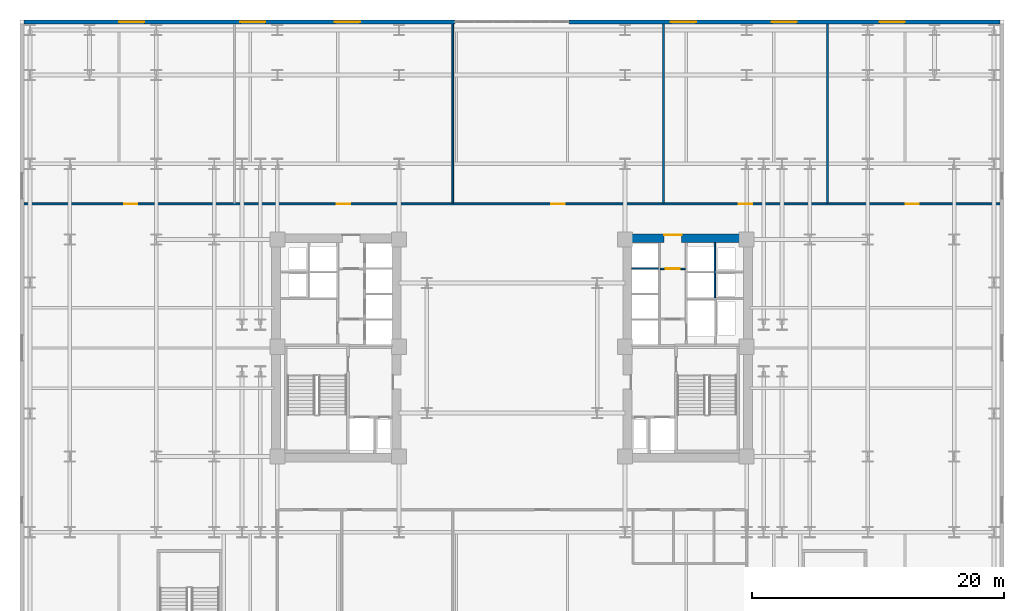
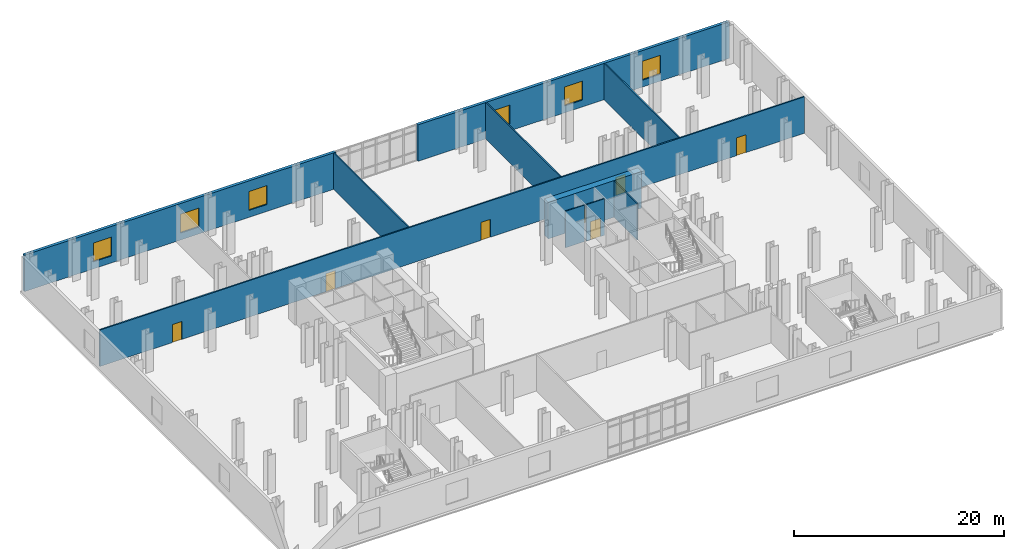
# One storey, part 10 of 13: 10 walls, 7 doors, 6 windows, 13 openings.
"""IFC4 building model written with IfcOpenShell, lengths in metres."""

from ifc_helpers import new_model, si_unit, direction, frame, frame_2d, origin, place, context, subcontext, project, spatial, rectangle, extrude, material, layer, layer_set, type_object, element, fill, save


model = new_model("IFC4")

# Units and contexts
model_context = context("Model", 3, precision=1e-05, world=origin(), true_north=direction((0.0, 1.0)))
body_context = subcontext(model_context, "Body", "Model", "MODEL_VIEW")
ifc_project = project(units=[si_unit("LENGTHUNIT", "METRE"), si_unit("AREAUNIT", "SQUARE_METRE"), si_unit("VOLUMEUNIT", "CUBIC_METRE"), si_unit("PLANEANGLEUNIT", "RADIAN"), si_unit("MASSUNIT", "GRAM", prefix="KILO")], contexts=[model_context])

# Site, building, storey
site_placement = place(None, origin())
site = spatial("IfcSite", under=ifc_project, at=site_placement, CompositionType="ELEMENT")
building_placement = place(site_placement, origin())
building = spatial("IfcBuilding", under=site, at=building_placement, Name="Velakula Bourse", CompositionType="ELEMENT")
storey_placement = place(building_placement, frame((0.0, 0.0, 9.60009765625)))
storey = spatial("IfcBuildingStorey", under=building, at=storey_placement, Name="L02", CompositionType="ELEMENT", Elevation=9.60009765625)

# Wall, opening, door
ifc_material_1 = material(Name="Concrete M70 (fck 70 MPa)", Category="concrete")
ifc_layer_1 = layer(ifc_material_1, 0.699951171875, Name="Concrete M70 (fck 70 MPa)", Category="concrete")
ifc_layer_set_1 = layer_set([ifc_layer_1], Name="Concrete M70 (fck 70 MPa)")
wall_type_1 = type_object("IfcWallType", Name="WL-CORE-700", PredefinedType="SHEAR", material=ifc_layer_set_1)
wall_1_placement = place(storey_placement, frame((8.800048828125, 8.699951171875, 0.0), z_axis=(0.0, 0.0, 1.0), x_axis=(1.0, 0.0, 0.0)))
wall_1 = element("IfcWall", 1, at=wall_1_placement, inside=storey, type_object=wall_type_1, Name="L02 Core E Shear Wall N", PredefinedType="SHEAR", context=body_context, shape_type="SweptSolid", body=[
    extrude(rectangle(XDim=10.25, YDim=0.699951171875, at=frame_2d((5.125, 0.0))), origin(), (0.0, 0.0, 1.0), 4.25),
])
opening_1_placement = place(wall_1_placement, frame((3.25, 0.0, 0.0)))
opening_1 = element("IfcOpeningElement", 2, at=opening_1_placement, cuts=wall_1, Name="Opening D-LLE", PredefinedType="OPENING", context=body_context, shape_type="SweptSolid", body=[
    extrude(rectangle(XDim=1.39990234375, YDim=2.050048828125, at=frame_2d((0.699951171875, 1.02490234375))), frame((0.0, 0.35986328125, 0.0), z_axis=(0.0, -1.0, 0.0), x_axis=(1.0, 0.0, 0.0)), (0.0, 0.0, 1.0), 0.719970703125),
])
ifc_material_2 = material(Name="Fire-rated hardwood flush architectural door", Category="wood")
door_type_1 = type_object("IfcDoorType", Name="DR-DBL-FD60-1400", OperationType="DOUBLE_DOOR_SINGLE_SWING", PredefinedType="DOOR", material=ifc_material_2)
door_1_placement = place(opening_1_placement, origin())
door_1 = element("IfcDoor", 3, at=door_1_placement, inside=storey, type_object=door_type_1, Name="L02 Core E Lift Lobby Corridor Double Door", OperationType="DOUBLE_DOOR_SINGLE_SWING", OverallHeight=2.050048828125, OverallWidth=1.39990234375, PredefinedType="DOOR", context=body_context, shape_type="SweptSolid", body=[
    extrude(rectangle(XDim=1.39990234375, YDim=2.050048828125, at=frame_2d((0.699951171875, 1.02490234375))), frame((0.0, 0.294921875, 0.0), z_axis=(0.0, -1.0, 0.0), x_axis=(1.0, 0.0, 0.0)), (0.0, 0.0, 1.0), 0.050048828125),
])
fill(opening_1, door_1)

# Wall, openings, windows
ifc_material_3 = material(Name="Red kilned clay facing brick masonry", Category="masonry")
ifc_layer_2 = layer(ifc_material_3, 0.320068359375, Name="Red kilned clay facing brick masonry", Category="masonry")
ifc_layer_set_2 = layer_set([ifc_layer_2], Name="Red kilned clay facing brick masonry")
wall_type_2 = type_object("IfcWallType", Name="WL-EXT-BRK-320", PredefinedType="STANDARD", material=ifc_layer_set_2)
wall_2_placement = place(storey_placement, frame((-38.679931640625, 25.840087890625, 0.0), z_axis=(0.0, 0.0, 1.0), x_axis=(1.0, 0.0, 0.0)))
wall_2 = element("IfcWall", 4, at=wall_2_placement, inside=storey, type_object=wall_type_2, Name="L02 North Brick Facade Wall 1", PredefinedType="STANDARD", context=body_context, shape_type="SweptSolid", body=[
    extrude(rectangle(XDim=34.179931640625, YDim=0.320068359375, at=frame_2d((17.08984375, 0.0))), origin(), (0.0, 0.0, 1.0), 4.22998046875),
])
opening_2_placement = place(wall_2_placement, frame((7.544921875, 0.0, 0.800048828125)))
opening_2 = element("IfcOpeningElement", 5, at=opening_2_placement, cuts=wall_2, Name="Opening W-07", PredefinedType="OPENING", context=body_context, shape_type="SweptSolid", body=[
    extrude(rectangle(XDim=2.0, YDim=2.199951171875, at=frame_2d((1.0, 1.10009765625))), frame((0.0, 0.169921875, 0.0), z_axis=(0.0, -1.0, 0.0), x_axis=(1.0, 0.0, 0.0)), (0.0, 0.0, 1.0), 0.340087890625),
])
opening_3_placement = place(wall_2_placement, frame((17.139892578125, 0.0, 0.800048828125)))
opening_3 = element("IfcOpeningElement", 6, at=opening_3_placement, cuts=wall_2, Name="Opening W-07", PredefinedType="OPENING", context=body_context, shape_type="SweptSolid", body=[
    extrude(rectangle(XDim=2.0, YDim=2.199951171875, at=frame_2d((1.0, 1.10009765625))), frame((0.0, 0.169921875, 0.0), z_axis=(0.0, -1.0, 0.0), x_axis=(1.0, 0.0, 0.0)), (0.0, 0.0, 1.0), 0.340087890625),
])
opening_4_placement = place(wall_2_placement, frame((24.635009765625, 0.0, 0.800048828125)))
opening_4 = element("IfcOpeningElement", 7, at=opening_4_placement, cuts=wall_2, Name="Opening W-07", PredefinedType="OPENING", context=body_context, shape_type="SweptSolid", body=[
    extrude(rectangle(XDim=2.0, YDim=2.199951171875, at=frame_2d((1.0, 1.10009765625))), frame((0.0, 0.169921875, 0.0), z_axis=(0.0, -1.0, 0.0), x_axis=(1.0, 0.0, 0.0)), (0.0, 0.0, 1.0), 0.340087890625),
])
ifc_material_4 = material(Name="Double-glazed solar-control Low-E glass", Category="glass")
window_type = type_object("IfcWindowType", Name="WIN-POD-2000x2400", PartitioningType="DOUBLE_PANEL_VERTICAL", PredefinedType="WINDOW", material=ifc_material_4)
window_1_placement = place(opening_2_placement, origin())
window_1 = element("IfcWindow", 8, at=window_1_placement, inside=storey, type_object=window_type, Name="L02 Deep-Set Recessed Window 1", OverallHeight=2.199951171875, OverallWidth=2.0, PartitioningType="DOUBLE_PANEL_VERTICAL", PredefinedType="WINDOW", context=body_context, shape_type="SweptSolid", body=[
    extrude(rectangle(XDim=2.0, YDim=2.199951171875, at=frame_2d((1.0, 1.10009765625))), frame((0.0, 0.030029296875, 0.0), z_axis=(0.0, -1.0, 0.0), x_axis=(1.0, 0.0, 0.0)), (0.0, 0.0, 1.0), 0.06005859375),
])
fill(opening_2, window_1)
window_2_placement = place(opening_3_placement, origin())
window_2 = element("IfcWindow", 9, at=window_2_placement, inside=storey, type_object=window_type, Name="L02 Deep-Set Recessed Window 2", OverallHeight=2.199951171875, OverallWidth=2.0, PartitioningType="DOUBLE_PANEL_VERTICAL", PredefinedType="WINDOW", context=body_context, shape_type="SweptSolid", body=[
    extrude(rectangle(XDim=2.0, YDim=2.199951171875, at=frame_2d((1.0, 1.10009765625))), frame((0.0, 0.030029296875, 0.0), z_axis=(0.0, -1.0, 0.0), x_axis=(1.0, 0.0, 0.0)), (0.0, 0.0, 1.0), 0.06005859375),
])
fill(opening_3, window_2)
window_3_placement = place(opening_4_placement, origin())
window_3 = element("IfcWindow", 10, at=window_3_placement, inside=storey, type_object=window_type, Name="L02 Deep-Set Recessed Window 3", OverallHeight=2.199951171875, OverallWidth=2.0, PartitioningType="DOUBLE_PANEL_VERTICAL", PredefinedType="WINDOW", context=body_context, shape_type="SweptSolid", body=[
    extrude(rectangle(XDim=2.0, YDim=2.199951171875, at=frame_2d((1.0, 1.10009765625))), frame((0.0, 0.030029296875, 0.0), z_axis=(0.0, -1.0, 0.0), x_axis=(1.0, 0.0, 0.0)), (0.0, 0.0, 1.0), 0.06005859375),
])
fill(opening_4, window_3)

wall_3_placement = place(storey_placement, frame((4.5, 25.840087890625, 0.0), z_axis=(0.0, 0.0, 1.0), x_axis=(1.0, 0.0, 0.0)))
wall_3 = element("IfcWall", 11, at=wall_3_placement, inside=storey, type_object=wall_type_2, Name="L02 North Brick Facade Wall 3", PredefinedType="STANDARD", context=body_context, shape_type="SweptSolid", body=[
    extrude(rectangle(XDim=34.179931640625, YDim=0.320068359375, at=frame_2d((17.08984375, 0.0))), origin(), (0.0, 0.0, 1.0), 4.22998046875),
])
opening_5_placement = place(wall_3_placement, frame((8.094970703125, 0.0, 0.800048828125)))
opening_5 = element("IfcOpeningElement", 12, at=opening_5_placement, cuts=wall_3, Name="Opening W-07", PredefinedType="OPENING", context=body_context, shape_type="SweptSolid", body=[
    extrude(rectangle(XDim=2.0, YDim=2.199951171875, at=frame_2d((1.0, 1.10009765625))), frame((0.0, 0.169921875, 0.0), z_axis=(0.0, -1.0, 0.0), x_axis=(1.0, 0.0, 0.0)), (0.0, 0.0, 1.0), 0.340087890625),
])
opening_6_placement = place(wall_3_placement, frame((16.090087890625, 0.0, 0.800048828125)))
opening_6 = element("IfcOpeningElement", 13, at=opening_6_placement, cuts=wall_3, Name="Opening W-07", PredefinedType="OPENING", context=body_context, shape_type="SweptSolid", body=[
    extrude(rectangle(XDim=2.0, YDim=2.199951171875, at=frame_2d((1.0, 1.10009765625))), frame((0.0, 0.169921875, 0.0), z_axis=(0.0, -1.0, 0.0), x_axis=(1.0, 0.0, 0.0)), (0.0, 0.0, 1.0), 0.340087890625),
])
opening_7_placement = place(wall_3_placement, frame((24.635009765625, 0.0, 0.800048828125)))
opening_7 = element("IfcOpeningElement", 14, at=opening_7_placement, cuts=wall_3, Name="Opening W-07", PredefinedType="OPENING", context=body_context, shape_type="SweptSolid", body=[
    extrude(rectangle(XDim=2.0, YDim=2.199951171875, at=frame_2d((1.0, 1.10009765625))), frame((0.0, 0.169921875, 0.0), z_axis=(0.0, -1.0, 0.0), x_axis=(1.0, 0.0, 0.0)), (0.0, 0.0, 1.0), 0.340087890625),
])
window_4_placement = place(opening_5_placement, origin())
window_4 = element("IfcWindow", 15, at=window_4_placement, inside=storey, type_object=window_type, Name="L02 Deep-Set Recessed Window 1", OverallHeight=2.199951171875, OverallWidth=2.0, PartitioningType="DOUBLE_PANEL_VERTICAL", PredefinedType="WINDOW", context=body_context, shape_type="SweptSolid", body=[
    extrude(rectangle(XDim=2.0, YDim=2.199951171875, at=frame_2d((1.0, 1.10009765625))), frame((0.0, 0.030029296875, 0.0), z_axis=(0.0, -1.0, 0.0), x_axis=(1.0, 0.0, 0.0)), (0.0, 0.0, 1.0), 0.06005859375),
])
fill(opening_5, window_4)
window_5_placement = place(opening_6_placement, origin())
window_5 = element("IfcWindow", 16, at=window_5_placement, inside=storey, type_object=window_type, Name="L02 Deep-Set Recessed Window 2", OverallHeight=2.199951171875, OverallWidth=2.0, PartitioningType="DOUBLE_PANEL_VERTICAL", PredefinedType="WINDOW", context=body_context, shape_type="SweptSolid", body=[
    extrude(rectangle(XDim=2.0, YDim=2.199951171875, at=frame_2d((1.0, 1.10009765625))), frame((0.0, 0.030029296875, 0.0), z_axis=(0.0, -1.0, 0.0), x_axis=(1.0, 0.0, 0.0)), (0.0, 0.0, 1.0), 0.06005859375),
])
fill(opening_6, window_5)
window_6_placement = place(opening_7_placement, origin())
window_6 = element("IfcWindow", 17, at=window_6_placement, inside=storey, type_object=window_type, Name="L02 Deep-Set Recessed Window 3", OverallHeight=2.199951171875, OverallWidth=2.0, PartitioningType="DOUBLE_PANEL_VERTICAL", PredefinedType="WINDOW", context=body_context, shape_type="SweptSolid", body=[
    extrude(rectangle(XDim=2.0, YDim=2.199951171875, at=frame_2d((1.0, 1.10009765625))), frame((0.0, 0.030029296875, 0.0), z_axis=(0.0, -1.0, 0.0), x_axis=(1.0, 0.0, 0.0)), (0.0, 0.0, 1.0), 0.06005859375),
])
fill(opening_7, window_6)

# Wall, opening, door
ifc_material_5 = material(Name="Fire-rated double-layer gypsum drywall partition", Category="gypsum")
ifc_layer_3 = layer(ifc_material_5, 0.1201171875, Name="Fire-rated double-layer gypsum drywall partition", Category="gypsum")
ifc_layer_set_3 = layer_set([ifc_layer_3], Name="Fire-rated double-layer gypsum drywall partition")
wall_type_3 = type_object("IfcWallType", Name="WL-PART-120", PredefinedType="STANDARD", material=ifc_layer_set_3)
wall_4_placement = place(storey_placement, frame((11.75, 6.280029296875, 0.0), z_axis=(0.0, 0.0, 1.0), x_axis=(1.0, 0.0, 0.0)))
wall_4 = element("IfcWall", 18, at=wall_4_placement, inside=storey, type_object=wall_type_3, Name="L02 Interior Partition WL-CRE-L02-LL-K3B", PredefinedType="STANDARD", context=body_context, shape_type="SweptSolid", body=[
    extrude(rectangle(XDim=2.0, YDim=0.1201171875, at=frame_2d((1.0, 0.0))), origin(), (0.0, 0.0, 1.0), 4.22998046875),
])
opening_8_placement = place(wall_4_placement, frame((0.449951171875, 0.0, 0.0)))
opening_8 = element("IfcOpeningElement", 19, at=opening_8_placement, cuts=wall_4, Name="Opening D-LK3", PredefinedType="OPENING", context=body_context, shape_type="SweptSolid", body=[
    extrude(rectangle(XDim=1.10009765625, YDim=2.10009765625, at=frame_2d((0.550048828125, 1.050048828125))), frame((0.0, 0.070068359375, 0.0), z_axis=(0.0, -1.0, 0.0), x_axis=(1.0, 0.0, 0.0)), (0.0, 0.0, 1.0), 0.14013671875),
])
door_type_2 = type_object("IfcDoorType", Name="DR-FD60-1100x2100", OperationType="NOTDEFINED", PredefinedType="DOOR", material=ifc_material_2)
door_2_placement = place(opening_8_placement, origin())
door_2 = element("IfcDoor", 20, at=door_2_placement, inside=storey, type_object=door_type_2, Name="L02 Core E Lift Lobby Vestibule Door B", OperationType="SINGLE_SWING_RIGHT", OverallHeight=2.10009765625, OverallWidth=1.10009765625, PredefinedType="DOOR", context=body_context, shape_type="SweptSolid", body=[
    extrude(rectangle(XDim=1.10009765625, YDim=2.10009765625, at=frame_2d((0.550048828125, 1.050048828125))), frame((0.0, 0.02490234375, 0.0), z_axis=(0.0, -1.0, 0.0), x_axis=(1.0, 0.0, 0.0)), (0.0, 0.0, 1.0), 0.050048828125),
])
fill(opening_8, door_2)

# Walls
wall_5_placement = place(storey_placement, frame((9.5, 6.31494140625, 0.0), z_axis=(0.0, 0.0, 1.0), x_axis=(1.0, 0.0, 0.0)))
element("IfcWall", 21, at=wall_5_placement, inside=storey, type_object=wall_type_3, Name="L02 Interior Partition WL-CRE-L02-BDIV-2", PredefinedType="STANDARD", context=body_context, shape_type="SweptSolid", body=[
    extrude(rectangle(XDim=2.10009765625, YDim=0.110107421875, at=frame_2d((1.050048828125, 0.0))), origin(), (0.0, 0.0, 1.0), 4.22998046875),
])
wall_6_placement = place(storey_placement, frame((16.074951171875, 3.97998046875, 0.0), z_axis=(0.0, 0.0, 1.0), x_axis=(0.0, 1.0, 0.0)))
element("IfcWall", 22, at=wall_6_placement, inside=storey, type_object=wall_type_3, Name="L02 Interior Partition WL-CRE-L02-RIS-F", PredefinedType="STANDARD", context=body_context, shape_type="SweptSolid", body=[
    extrude(rectangle(XDim=4.3701171875, YDim=0.1201171875, at=frame_2d((2.18505859375, 0.0))), origin(), (0.0, 0.0, 1.0), 4.22998046875),
])

# Wall, openings, doors
ifc_layer_4 = layer(ifc_material_5, 0.139892578125, Name="Fire-rated double-layer gypsum drywall partition", Category="gypsum")
ifc_layer_set_4 = layer_set([ifc_layer_4], Name="Fire-rated double-layer gypsum drywall partition")
wall_type_4 = type_object("IfcWallType", Name="WL-PART-140", PredefinedType="STANDARD", material=ifc_layer_set_4)
wall_7_placement = place(storey_placement, frame((-38.679931640625, 11.419921875, 0.0), z_axis=(0.0, 0.0, 1.0), x_axis=(1.0, 0.0, 0.0)))
wall_7 = element("IfcWall", 23, at=wall_7_placement, inside=storey, type_object=wall_type_4, Name="L02 Interior Partition WL-POD-L02-N-CORR", PredefinedType="STANDARD", context=body_context, shape_type="SweptSolid", body=[
    extrude(rectangle(XDim=77.35986328125, YDim=0.14990234375, at=frame_2d((38.679931640625, 0.0))), origin(), (0.0, 0.0, 1.0), 4.22998046875),
])
opening_9_placement = place(wall_7_placement, frame((7.93603515625, 0.0, 0.0)))
opening_9 = element("IfcOpeningElement", 24, at=opening_9_placement, cuts=wall_7, Name="Opening D-PD1", PredefinedType="OPENING", context=body_context, shape_type="SweptSolid", body=[
    extrude(rectangle(XDim=1.050048828125, YDim=2.080078125, at=frame_2d((0.52490234375, 1.0400390625))), frame((0.0, 0.0849609375, 0.0), z_axis=(0.0, -1.0, 0.0), x_axis=(1.0, 0.0, 0.0)), (0.0, 0.0, 1.0), 0.169921875),
])
opening_10_placement = place(wall_7_placement, frame((24.804931640625, 0.0, 0.0)))
opening_10 = element("IfcOpeningElement", 25, at=opening_10_placement, cuts=wall_7, Name="Opening D-PD1", PredefinedType="OPENING", context=body_context, shape_type="SweptSolid", body=[
    extrude(rectangle(XDim=1.050048828125, YDim=2.080078125, at=frame_2d((0.52490234375, 1.0400390625))), frame((0.0, 0.0849609375, 0.0), z_axis=(0.0, -1.0, 0.0), x_axis=(1.0, 0.0, 0.0)), (0.0, 0.0, 1.0), 0.169921875),
])
opening_11_placement = place(wall_7_placement, frame((41.804931640625, 0.0, 0.0)))
opening_11 = element("IfcOpeningElement", 26, at=opening_11_placement, cuts=wall_7, Name="Opening D-PD1", PredefinedType="OPENING", context=body_context, shape_type="SweptSolid", body=[
    extrude(rectangle(XDim=1.050048828125, YDim=2.080078125, at=frame_2d((0.52490234375, 1.0400390625))), frame((0.0, 0.0849609375, 0.0), z_axis=(0.0, -1.0, 0.0), x_axis=(1.0, 0.0, 0.0)), (0.0, 0.0, 1.0), 0.169921875),
])
opening_12_placement = place(wall_7_placement, frame((56.655029296875, 0.0, 0.0)))
opening_12 = element("IfcOpeningElement", 27, at=opening_12_placement, cuts=wall_7, Name="Opening D-PD1", PredefinedType="OPENING", context=body_context, shape_type="SweptSolid", body=[
    extrude(rectangle(XDim=1.050048828125, YDim=2.080078125, at=frame_2d((0.52490234375, 1.0400390625))), frame((0.0, 0.0849609375, 0.0), z_axis=(0.0, -1.0, 0.0), x_axis=(1.0, 0.0, 0.0)), (0.0, 0.0, 1.0), 0.169921875),
])
opening_13_placement = place(wall_7_placement, frame((69.8740234375, 0.0, 0.0)))
opening_13 = element("IfcOpeningElement", 28, at=opening_13_placement, cuts=wall_7, Name="Opening D-PD1", PredefinedType="OPENING", context=body_context, shape_type="SweptSolid", body=[
    extrude(rectangle(XDim=1.050048828125, YDim=2.080078125, at=frame_2d((0.52490234375, 1.0400390625))), frame((0.0, 0.0849609375, 0.0), z_axis=(0.0, -1.0, 0.0), x_axis=(1.0, 0.0, 0.0)), (0.0, 0.0, 1.0), 0.169921875),
])
door_type_3 = type_object("IfcDoorType", Name="DR-OFF-1050", OperationType="NOTDEFINED", PredefinedType="DOOR", material=ifc_material_2)
door_3_placement = place(opening_9_placement, origin())
door_3 = element("IfcDoor", 29, at=door_3_placement, inside=storey, type_object=door_type_3, Name="L02 Bourse Financial Museum Exhibition Space Door", OperationType="SINGLE_SWING_LEFT", OverallHeight=2.080078125, OverallWidth=1.050048828125, PredefinedType="DOOR", context=body_context, shape_type="SweptSolid", body=[
    extrude(rectangle(XDim=1.050048828125, YDim=2.080078125, at=frame_2d((0.52490234375, 1.0400390625))), frame((0.0, 0.02490234375, 0.0), z_axis=(0.0, -1.0, 0.0), x_axis=(1.0, 0.0, 0.0)), (0.0, 0.0, 1.0), 0.050048828125),
])
fill(opening_9, door_3)
door_4_placement = place(opening_10_placement, origin())
door_4 = element("IfcDoor", 30, at=door_4_placement, inside=storey, type_object=door_type_3, Name="L02 Investor Education Seminar Room A Door", OperationType="SINGLE_SWING_RIGHT", OverallHeight=2.080078125, OverallWidth=1.050048828125, PredefinedType="DOOR", context=body_context, shape_type="SweptSolid", body=[
    extrude(rectangle(XDim=1.050048828125, YDim=2.080078125, at=frame_2d((0.52490234375, 1.0400390625))), frame((0.0, 0.02490234375, 0.0), z_axis=(0.0, -1.0, 0.0), x_axis=(1.0, 0.0, 0.0)), (0.0, 0.0, 1.0), 0.050048828125),
])
fill(opening_10, door_4)
door_5_placement = place(opening_11_placement, origin())
door_5 = element("IfcDoor", 31, at=door_5_placement, inside=storey, type_object=door_type_3, Name="L02 Exchange Visitors Cafe Door", OperationType="SINGLE_SWING_LEFT", OverallHeight=2.080078125, OverallWidth=1.050048828125, PredefinedType="DOOR", context=body_context, shape_type="SweptSolid", body=[
    extrude(rectangle(XDim=1.050048828125, YDim=2.080078125, at=frame_2d((0.52490234375, 1.0400390625))), frame((0.0, 0.02490234375, 0.0), z_axis=(0.0, -1.0, 0.0), x_axis=(1.0, 0.0, 0.0)), (0.0, 0.0, 1.0), 0.050048828125),
])
fill(opening_11, door_5)
door_6_placement = place(opening_12_placement, origin())
door_6 = element("IfcDoor", 32, at=door_6_placement, inside=storey, type_object=door_type_3, Name="L02 Cafe Catering Pantry Door", OperationType="SINGLE_SWING_RIGHT", OverallHeight=2.080078125, OverallWidth=1.050048828125, PredefinedType="DOOR", context=body_context, shape_type="SweptSolid", body=[
    extrude(rectangle(XDim=1.050048828125, YDim=2.080078125, at=frame_2d((0.52490234375, 1.0400390625))), frame((0.0, 0.02490234375, 0.0), z_axis=(0.0, -1.0, 0.0), x_axis=(1.0, 0.0, 0.0)), (0.0, 0.0, 1.0), 0.050048828125),
])
fill(opening_12, door_6)
door_7_placement = place(opening_13_placement, origin())
door_7 = element("IfcDoor", 33, at=door_7_placement, inside=storey, type_object=door_type_3, Name="L02 Curatorial Office Door", OperationType="SINGLE_SWING_LEFT", OverallHeight=2.080078125, OverallWidth=1.050048828125, PredefinedType="DOOR", context=body_context, shape_type="SweptSolid", body=[
    extrude(rectangle(XDim=1.050048828125, YDim=2.080078125, at=frame_2d((0.52490234375, 1.0400390625))), frame((0.0, 0.02490234375, 0.0), z_axis=(0.0, -1.0, 0.0), x_axis=(1.0, 0.0, 0.0)), (0.0, 0.0, 1.0), 0.050048828125),
])
fill(opening_13, door_7)

# Walls
for number, where, z_axis, x_axis, name in (
    (34, (-4.699951171875, 11.489990234375, 0.0), (0.0, 0.0, 1.0), (0.0, 1.0, 0.0), "L02 Interior Partition WL-POD-L02-ND2"),
    (35, (12.0, 11.489990234375, 0.0), (0.0, 0.0, 1.0), (0.0, 1.0, 0.0), "L02 Interior Partition WL-POD-L02-ND3"),
    (36, (25.0, 11.489990234375, 0.0), (0.0, 0.0, 1.0), (0.0, 1.0, 0.0), "L02 Interior Partition WL-POD-L02-ND4"),
):
    element("IfcWall", number, at=place(storey_placement, frame(where, z_axis=z_axis, x_axis=x_axis)), inside=storey, type_object=wall_type_4, Name=name, PredefinedType="STANDARD", context=body_context, shape_type="SweptSolid", body=[
        extrude(rectangle(XDim=14.18994140625, YDim=0.139892578125, at=frame_2d((7.094970703125, 0.0))), origin(), (0.0, 0.0, 1.0), 4.22998046875),
    ])

save(model, "model.ifc")
